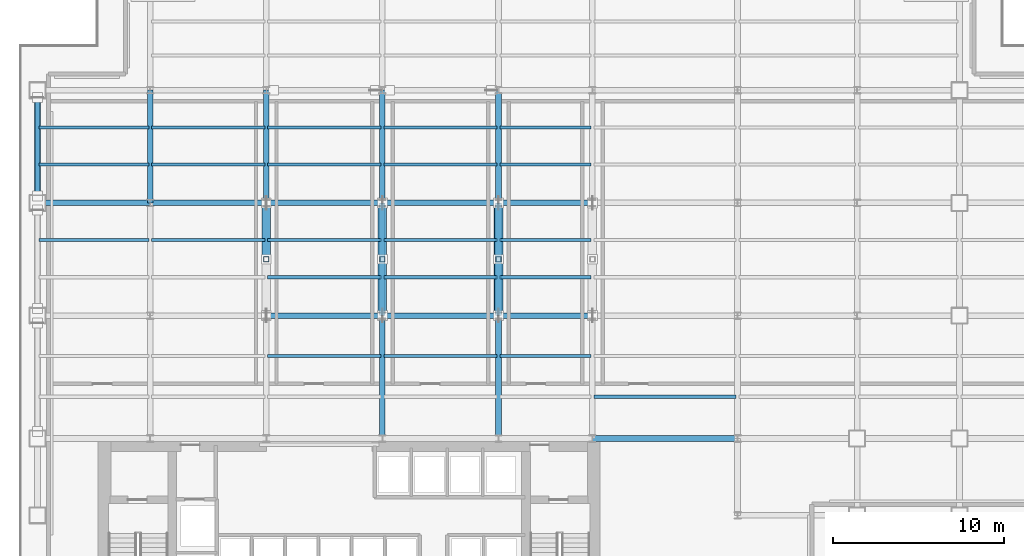
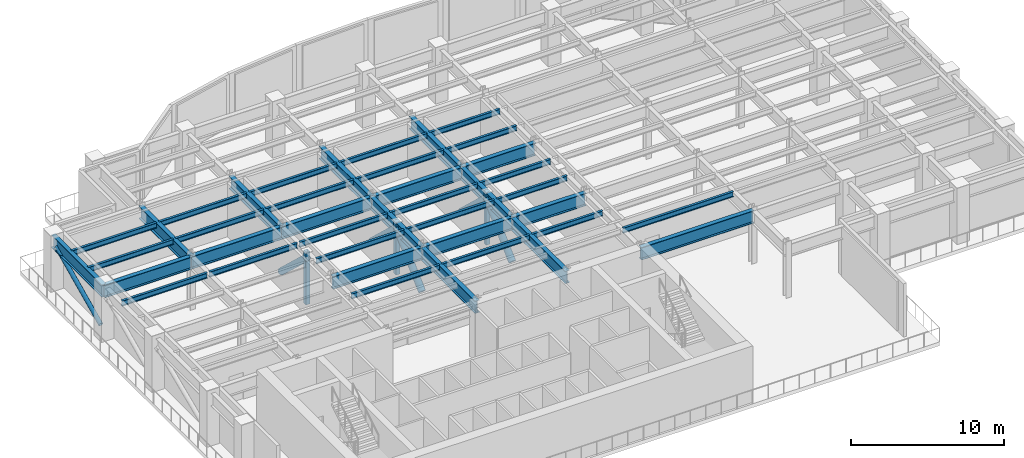
# One storey, part 2 of 14: 40 beams, 9 members.
"""IFC4 building model written with IfcOpenShell, lengths in metres."""

from ifc_helpers import new_model, si_unit, derived_unit, direction, frame, origin, origin_2d, place, context, subcontext, project, spatial, hollow_rectangle, hollow_circle, i_section, extrude, source, transform, mapped, material, material_profile, profile_set, type_object, element, save


model = new_model("IFC4")

# Units and contexts
model_context = context("Model", 3, precision=1e-05, world=origin(), true_north=direction((0.0, 1.0)))
body_context = subcontext(model_context, "Body", "Model", "MODEL_VIEW")
ifc_project = project(units=[si_unit("LENGTHUNIT", "METRE"), si_unit("AREAUNIT", "SQUARE_METRE"), si_unit("VOLUMEUNIT", "CUBIC_METRE"), si_unit("PLANEANGLEUNIT", "RADIAN"), si_unit("MASSUNIT", "GRAM", prefix="KILO"), derived_unit("THERMALTRANSMITTANCEUNIT", [(si_unit("POWERUNIT", "WATT"), 1), (si_unit("LENGTHUNIT", "METRE"), -2), (si_unit("THERMODYNAMICTEMPERATUREUNIT", "KELVIN"), -1)])], contexts=[model_context])

# Site, building, storey
site_placement = place(None, origin())
site = spatial("IfcSite", under=ifc_project, at=site_placement, CompositionType="ELEMENT")
building_placement = place(site_placement, origin())
building = spatial("IfcBuilding", under=site, at=building_placement, Name="Skarnbrae Concourse Arena and Tower", CompositionType="ELEMENT")
storey_placement = place(building_placement, frame((0.0, 0.0, 84.14990234375)))
storey = spatial("IfcBuildingStorey", under=building, at=storey_placement, Name="L20", CompositionType="ELEMENT", Elevation=84.14990234375)

# Beams
ifc_material = material(Name="Steel CSA G40.21 350W", Category="steel")
ifc_material_profile_1 = material_profile(ifc_material, i_section(OverallWidth=0.180908203125, OverallDepth=0.4169921875, WebThickness=0.010986328125, FlangeThickness=0.018310546875, at=origin_2d()), Name="W410X85")
ifc_profile_set_1 = profile_set([ifc_material_profile_1], Name="Steel CSA G40.21 350W")
beam_type_1 = type_object("IfcBeamType", Name="BM-JOIST-W410X85", PredefinedType="JOIST", material=ifc_profile_set_1)
shared_shape_1 = source(origin(), body_context, "Body", "SweptSolid", [
    extrude(i_section(OverallWidth=0.180908203125, OverallDepth=0.4169921875, WebThickness=0.010986328125, FlangeThickness=0.018310546875, at=origin_2d()), origin(), (0.0, 0.0, 1.0), 6.43994140625),
])
for number, where, z_axis, x_axis, name in (
    (1, (1.080078125, 25.6220703125, 3.99169921875), (1.0, 0.0, 0.0), (0.0, 1.0, 0.0), "L20 Secondary floor joist 2.2.1"),
    (2, (1.080078125, 30.0439453125, 3.99169921875), (1.0, 0.0, 0.0), (0.0, 1.0, 0.0), "L20 Secondary floor joist 3.1.1"),
    (3, (1.080078125, 32.221923828125, 3.99169921875), (1.0, 0.0, 0.0), (0.0, 1.0, 0.0), "L20 Secondary floor joist 3.2.1"),
):
    element("IfcBeam", number, at=place(storey_placement, frame(where, z_axis=z_axis, x_axis=x_axis)), inside=storey, type_object=beam_type_1, Name=name, PredefinedType="JOIST", context=body_context, shape_type="MappedRepresentation", body=[
        mapped(shared_shape_1, transform((0.0, 0.0, 0.0))),
    ])
shared_shape_2 = source(origin(), body_context, "Body", "SweptSolid", [
    extrude(i_section(OverallWidth=0.180908203125, OverallDepth=0.4169921875, WebThickness=0.010986328125, FlangeThickness=0.018310546875, at=origin_2d()), origin(), (0.0, 0.0, 1.0), 6.64013671875),
])
for number, where, z_axis, x_axis, name in (
    (4, (14.47998046875, 18.823974609375, 3.99169921875), (1.0, 0.0, 0.0), (0.0, 1.0, 0.0), "L20 Secondary floor joist 1.2.3"),
    (5, (14.47998046875, 23.444091796875, 3.99169921875), (1.0, 0.0, 0.0), (0.0, 1.0, 0.0), "L20 Secondary floor joist 2.1.3"),
    (6, (7.679931640625, 25.6220703125, 3.99169921875), (1.0, 0.0, 0.0), (0.0, 1.0, 0.0), "L20 Secondary floor joist 2.2.2"),
    (7, (14.47998046875, 25.6220703125, 3.99169921875), (1.0, 0.0, 0.0), (0.0, 1.0, 0.0), "L20 Secondary floor joist 2.2.3"),
    (8, (7.679931640625, 30.0439453125, 3.99169921875), (1.0, 0.0, 0.0), (0.0, 1.0, 0.0), "L20 Secondary floor joist 3.1.2"),
    (9, (14.47998046875, 30.0439453125, 3.99169921875), (1.0, 0.0, 0.0), (0.0, 1.0, 0.0), "L20 Secondary floor joist 3.1.3"),
    (10, (7.679931640625, 32.221923828125, 3.99169921875), (1.0, 0.0, 0.0), (0.0, 1.0, 0.0), "L20 Secondary floor joist 3.2.2"),
    (11, (14.47998046875, 32.221923828125, 3.99169921875), (1.0, 0.0, 0.0), (0.0, 1.0, 0.0), "L20 Secondary floor joist 3.2.3"),
):
    element("IfcBeam", number, at=place(storey_placement, frame(where, z_axis=z_axis, x_axis=x_axis)), inside=storey, type_object=beam_type_1, Name=name, PredefinedType="JOIST", context=body_context, shape_type="MappedRepresentation", body=[
        mapped(shared_shape_2, transform((0.0, 0.0, 0.0))),
    ])
shared_shape_3 = source(origin(), body_context, "Body", "SweptSolid", [
    extrude(i_section(OverallWidth=0.180908203125, OverallDepth=0.4169921875, WebThickness=0.010986328125, FlangeThickness=0.018310546875, at=origin_2d()), origin(), (0.0, 0.0, 1.0), 6.639892578125),
])
for number, where, z_axis, x_axis, name in (
    (12, (21.280029296875, 18.823974609375, 3.99169921875), (1.0, 0.0, 0.0), (0.0, 1.0, 0.0), "L20 Secondary floor joist 1.2.4"),
    (13, (21.280029296875, 23.444091796875, 3.99169921875), (1.0, 0.0, 0.0), (0.0, 1.0, 0.0), "L20 Secondary floor joist 2.1.4"),
    (14, (21.280029296875, 25.6220703125, 3.99169921875), (1.0, 0.0, 0.0), (0.0, 1.0, 0.0), "L20 Secondary floor joist 2.2.4"),
    (15, (21.280029296875, 30.0439453125, 3.99169921875), (1.0, 0.0, 0.0), (0.0, 1.0, 0.0), "L20 Secondary floor joist 3.1.4"),
    (16, (21.280029296875, 32.221923828125, 3.99169921875), (1.0, 0.0, 0.0), (0.0, 1.0, 0.0), "L20 Secondary floor joist 3.2.4"),
):
    element("IfcBeam", number, at=place(storey_placement, frame(where, z_axis=z_axis, x_axis=x_axis)), inside=storey, type_object=beam_type_1, Name=name, PredefinedType="JOIST", context=body_context, shape_type="MappedRepresentation", body=[
        mapped(shared_shape_3, transform((0.0, 0.0, 0.0))),
    ])
shared_shape_4 = source(origin(), body_context, "Body", "SweptSolid", [
    extrude(i_section(OverallWidth=0.180908203125, OverallDepth=0.4169921875, WebThickness=0.010986328125, FlangeThickness=0.018310546875, at=origin_2d()), origin(), (0.0, 0.0, 1.0), 5.33984375),
])
for number, where, z_axis, x_axis, name in (
    (17, (28.080078125, 18.823974609375, 3.99169921875), (1.0, 0.0, 0.0), (0.0, 1.0, 0.0), "L20 Secondary floor joist 1.2.5"),
    (18, (28.080078125, 23.444091796875, 3.99169921875), (1.0, 0.0, 0.0), (0.0, 1.0, 0.0), "L20 Secondary floor joist 2.1.5"),
    (19, (28.080078125, 25.6220703125, 3.99169921875), (1.0, 0.0, 0.0), (0.0, 1.0, 0.0), "L20 Secondary floor joist 2.2.5"),
    (20, (28.080078125, 30.0439453125, 3.99169921875), (1.0, 0.0, 0.0), (0.0, 1.0, 0.0), "L20 Secondary floor joist 3.1.5"),
    (21, (28.080078125, 32.221923828125, 3.99169921875), (1.0, 0.0, 0.0), (0.0, 1.0, 0.0), "L20 Secondary floor joist 3.2.5"),
):
    element("IfcBeam", number, at=place(storey_placement, frame(where, z_axis=z_axis, x_axis=x_axis)), inside=storey, type_object=beam_type_1, Name=name, PredefinedType="JOIST", context=body_context, shape_type="MappedRepresentation", body=[
        mapped(shared_shape_4, transform((0.0, 0.0, 0.0))),
    ])
shared_shape_5 = source(origin(), body_context, "Body", "SweptSolid", [
    extrude(i_section(OverallWidth=0.180908203125, OverallDepth=0.4169921875, WebThickness=0.010986328125, FlangeThickness=0.018310546875, at=origin_2d()), origin(), (0.0, 0.0, 1.0), 8.33984375),
])
beam_1_placement = place(storey_placement, frame((33.580078125, 16.447998046875, 3.99169921875), z_axis=(1.0, 0.0, 0.0), x_axis=(0.0, 1.0, 0.0)))
element("IfcBeam", 22, at=beam_1_placement, inside=storey, type_object=beam_type_1, Name="L20 Secondary floor joist 1.1.6", PredefinedType="JOIST", context=body_context, shape_type="MappedRepresentation", body=[
    mapped(shared_shape_5, transform((0.0, 0.0, 0.0))),
])
ifc_material_profile_2 = material_profile(ifc_material, i_section(OverallWidth=0.327880859375, OverallDepth=1.0, WebThickness=0.02099609375, FlangeThickness=0.03759765625, at=origin_2d()), Name="W1000X371")
ifc_profile_set_2 = profile_set([ifc_material_profile_2], Name="Steel CSA G40.21 350W")
beam_type_2 = type_object("IfcBeamType", Name="BM-XFER-W1000X371", PredefinedType="BEAM", material=ifc_profile_set_2)
shared_shape_6 = source(origin(), body_context, "Body", "SweptSolid", [
    extrude(i_section(OverallWidth=0.327880859375, OverallDepth=1.0, WebThickness=0.02099609375, FlangeThickness=0.03759765625, at=origin_2d()), origin(), (0.0, 0.0, 1.0), 6.60009765625),
])
for number, where, z_axis, x_axis, name in (
    (23, (1.0, 27.800048828125, 3.7001953125), (1.0, 0.0, 0.0), (0.0, 1.0, 0.0), "L20 Primary E-W girder Y27.8-1"),
    (24, (21.199951171875, 21.199951171875, 3.7001953125), (0.0, 1.0, 0.0), (-1.0, 0.0, 0.0), "L20 Primary N-S girder X21.2-2"),
    (25, (28.0, 21.199951171875, 3.7001953125), (0.0, 1.0, 0.0), (-1.0, 0.0, 0.0), "L20 Primary N-S girder X28.0-2"),
):
    element("IfcBeam", number, at=place(storey_placement, frame(where, z_axis=z_axis, x_axis=x_axis)), inside=storey, type_object=beam_type_2, Name=name, PredefinedType="BEAM", context=body_context, shape_type="MappedRepresentation", body=[
        mapped(shared_shape_6, transform((0.0, 0.0, 0.0))),
    ])
shared_shape_7 = source(origin(), body_context, "Body", "SweptSolid", [
    extrude(i_section(OverallWidth=0.327880859375, OverallDepth=1.0, WebThickness=0.02099609375, FlangeThickness=0.03759765625, at=origin_2d()), origin(), (0.0, 0.0, 1.0), 6.7998046875),
])
beam_2_placement = place(storey_placement, frame((7.60009765625, 27.800048828125, 3.7001953125), z_axis=(1.0, 0.0, 0.0), x_axis=(0.0, 1.0, 0.0)))
element("IfcBeam", 26, at=beam_2_placement, inside=storey, type_object=beam_type_2, Name="L20 Primary E-W girder Y27.8-2", PredefinedType="BEAM", context=body_context, shape_type="MappedRepresentation", body=[
    mapped(shared_shape_7, transform((0.0, 0.0, 0.0))),
])
shared_shape_8 = source(origin(), body_context, "Body", "SweptSolid", [
    extrude(i_section(OverallWidth=0.327880859375, OverallDepth=1.0, WebThickness=0.02099609375, FlangeThickness=0.03759765625, at=origin_2d()), origin(), (0.0, 0.0, 1.0), 6.800048828125),
])
for number, where, z_axis, x_axis, name in (
    (27, (14.39990234375, 21.199951171875, 3.7001953125), (1.0, 0.0, 0.0), (0.0, 1.0, 0.0), "L20 Primary E-W girder Y21.2-3"),
    (28, (21.199951171875, 21.199951171875, 3.7001953125), (1.0, 0.0, 0.0), (0.0, 1.0, 0.0), "L20 Primary E-W girder Y21.2-4"),
    (29, (14.39990234375, 27.800048828125, 3.7001953125), (1.0, 0.0, 0.0), (0.0, 1.0, 0.0), "L20 Primary E-W girder Y27.8-3"),
    (30, (21.199951171875, 27.800048828125, 3.7001953125), (1.0, 0.0, 0.0), (0.0, 1.0, 0.0), "L20 Primary E-W girder Y27.8-4"),
):
    element("IfcBeam", number, at=place(storey_placement, frame(where, z_axis=z_axis, x_axis=x_axis)), inside=storey, type_object=beam_type_2, Name=name, PredefinedType="BEAM", context=body_context, shape_type="MappedRepresentation", body=[
        mapped(shared_shape_8, transform((0.0, 0.0, 0.0))),
    ])
shared_shape_9 = source(origin(), body_context, "Body", "SweptSolid", [
    extrude(i_section(OverallWidth=0.327880859375, OverallDepth=1.0, WebThickness=0.02099609375, FlangeThickness=0.03759765625, at=origin_2d()), origin(), (0.0, 0.0, 1.0), 5.5),
])
for number, where, z_axis, x_axis, name in (
    (31, (28.0, 21.199951171875, 3.7001953125), (1.0, 0.0, 0.0), (0.0, 1.0, 0.0), "L20 Primary E-W girder Y21.2-5"),
    (32, (28.0, 27.800048828125, 3.7001953125), (1.0, 0.0, 0.0), (0.0, 1.0, 0.0), "L20 Primary E-W girder Y27.8-5"),
):
    element("IfcBeam", number, at=place(storey_placement, frame(where, z_axis=z_axis, x_axis=x_axis)), inside=storey, type_object=beam_type_2, Name=name, PredefinedType="BEAM", context=body_context, shape_type="MappedRepresentation", body=[
        mapped(shared_shape_9, transform((0.0, 0.0, 0.0))),
    ])
shared_shape_10 = source(origin(), body_context, "Body", "SweptSolid", [
    extrude(i_section(OverallWidth=0.327880859375, OverallDepth=1.0, WebThickness=0.02099609375, FlangeThickness=0.03759765625, at=origin_2d()), origin(), (0.0, 0.0, 1.0), 8.5),
])
beam_3_placement = place(storey_placement, frame((33.5, 14.0, 3.7001953125), z_axis=(1.0, 0.0, 0.0), x_axis=(0.0, 1.0, 0.0)))
element("IfcBeam", 33, at=beam_3_placement, inside=storey, type_object=beam_type_2, Name="L20 Primary E-W girder Y14.0-6", PredefinedType="BEAM", context=body_context, shape_type="MappedRepresentation", body=[
    mapped(shared_shape_10, transform((0.0, 0.0, 0.0))),
])
shared_shape_11 = source(origin(), body_context, "Body", "SweptSolid", [
    extrude(i_section(OverallWidth=0.327880859375, OverallDepth=1.0, WebThickness=0.02099609375, FlangeThickness=0.03759765625, at=origin_2d()), origin(), (0.0, 0.0, 1.0), 7.199951171875),
])
for number, where, z_axis, x_axis, name in (
    (34, (21.199951171875, 14.0, 3.7001953125), (0.0, 1.0, 0.0), (-1.0, 0.0, 0.0), "L20 Primary N-S girder X21.2-1"),
    (35, (28.0, 14.0, 3.7001953125), (0.0, 1.0, 0.0), (-1.0, 0.0, 0.0), "L20 Primary N-S girder X28.0-1"),
):
    element("IfcBeam", number, at=place(storey_placement, frame(where, z_axis=z_axis, x_axis=x_axis)), inside=storey, type_object=beam_type_2, Name=name, PredefinedType="BEAM", context=body_context, shape_type="MappedRepresentation", body=[
        mapped(shared_shape_11, transform((0.0, 0.0, 0.0))),
    ])
shared_shape_12 = source(origin(), body_context, "Body", "SweptSolid", [
    extrude(i_section(OverallWidth=0.327880859375, OverallDepth=1.0, WebThickness=0.02099609375, FlangeThickness=0.03759765625, at=origin_2d()), origin(), (0.0, 0.0, 1.0), 6.599853515625),
])
for number, where, z_axis, x_axis, name in (
    (36, (1.0, 27.800048828125, 3.7001953125), (0.0, 1.0, 0.0), (-1.0, 0.0, 0.0), "L20 Perimeter spandrel X1.0-4"),
    (37, (7.60009765625, 27.800048828125, 3.7001953125), (0.0, 1.0, 0.0), (-1.0, 0.0, 0.0), "L20 Primary N-S girder X7.6-3"),
    (38, (14.39990234375, 27.800048828125, 3.7001953125), (0.0, 1.0, 0.0), (-1.0, 0.0, 0.0), "L20 Primary N-S girder X14.4-3"),
    (39, (21.199951171875, 27.800048828125, 3.7001953125), (0.0, 1.0, 0.0), (-1.0, 0.0, 0.0), "L20 Primary N-S girder X21.2-3"),
    (40, (28.0, 27.800048828125, 3.7001953125), (0.0, 1.0, 0.0), (-1.0, 0.0, 0.0), "L20 Primary N-S girder X28.0-3"),
):
    element("IfcBeam", number, at=place(storey_placement, frame(where, z_axis=z_axis, x_axis=x_axis)), inside=storey, type_object=beam_type_2, Name=name, PredefinedType="BEAM", context=body_context, shape_type="MappedRepresentation", body=[
        mapped(shared_shape_12, transform((0.0, 0.0, 0.0))),
    ])

# Members
ifc_material_profile_3 = material_profile(ifc_material, hollow_circle(Radius=0.25390625, WallThickness=0.02490234375, at=origin_2d()), Name="HSS508X25.0")
ifc_profile_set_3 = profile_set([ifc_material_profile_3], Name="Steel CSA G40.21 350W")
member_type_1 = type_object("IfcMemberType", Name="MEM-OUTRIG-CHS508", PredefinedType="BRACE", material=ifc_profile_set_3)
shared_shape_13 = source(origin(), body_context, "Body", "SweptSolid", [
    extrude(hollow_circle(Radius=0.25390625, WallThickness=0.02490234375, at=origin_2d()), origin(), (0.0, 0.0, 1.0), 4.52783203125),
])
for number, where, z_axis, x_axis, name in (
    (41, (14.39990234375, 24.5, 3.650146484375), (0.0, 0.728842364395, -0.684681537551), (-1.0, 0.0, 0.0), "L20 Core outrigger trusses diagonal O1.2"),
    (42, (21.199951171875, 21.199951171875, 0.550048828125), (0.0, 0.728842364395, 0.684681537551), (-1.0, 0.0, 0.0), "L20 Core outrigger trusses diagonal O2.1"),
    (43, (21.199951171875, 24.5, 3.650146484375), (0.0, 0.728842364395, -0.684681537551), (-1.0, 0.0, 0.0), "L20 Core outrigger trusses diagonal O2.2"),
    (44, (28.0, 21.199951171875, 0.550048828125), (0.0, 0.728842364395, 0.684681537551), (-1.0, 0.0, 0.0), "L20 Core outrigger trusses diagonal O3.1"),
    (45, (28.0, 24.5, 3.650146484375), (0.0, 0.728842364395, -0.684681537551), (-1.0, 0.0, 0.0), "L20 Core outrigger trusses diagonal O3.2"),
):
    element("IfcMember", number, at=place(storey_placement, frame(where, z_axis=z_axis, x_axis=x_axis)), inside=storey, type_object=member_type_1, Name=name, PredefinedType="BRACE", context=body_context, shape_type="MappedRepresentation", body=[
        mapped(shared_shape_13, transform((0.0, 0.0, 0.0))),
    ])
ifc_material_profile_4 = material_profile(ifc_material, hollow_rectangle(XDim=0.3046875, YDim=0.3046875, WallThickness=0.015869140625, at=origin_2d()), Name="HSS305X305X15.9")
ifc_profile_set_4 = profile_set([ifc_material_profile_4], Name="Steel CSA G40.21 350W")
member_type_2 = type_object("IfcMemberType", Name="MEM-POST-HSS305", PredefinedType="POST", material=ifc_profile_set_4)
shared_shape_14 = source(origin(), body_context, "Body", "SweptSolid", [
    extrude(hollow_rectangle(XDim=0.3046875, YDim=0.3046875, WallThickness=0.015869140625, at=origin_2d()), origin(), (0.0, 0.0, 1.0), 4.2001953125),
])
for number, where, z_axis, x_axis, name in (
    (46, (14.39990234375, 24.5, 0.0), (0.0, 0.0, 1.0), (1.0, 0.0, 0.0), "L20 Outrigger truss mid-post O1"),
    (47, (21.199951171875, 24.5, 0.0), (0.0, 0.0, 1.0), (1.0, 0.0, 0.0), "L20 Outrigger truss mid-post O2"),
    (48, (28.0, 24.5, 0.0), (0.0, 0.0, 1.0), (1.0, 0.0, 0.0), "L20 Outrigger truss mid-post O3"),
):
    element("IfcMember", number, at=place(storey_placement, frame(where, z_axis=z_axis, x_axis=x_axis)), inside=storey, type_object=member_type_2, Name=name, PredefinedType="POST", context=body_context, shape_type="MappedRepresentation", body=[
        mapped(shared_shape_14, transform((0.0, 0.0, 0.0))),
    ])
ifc_material_profile_5 = material_profile(ifc_material, hollow_circle(Radius=0.161865234375, WallThickness=0.01904296875, at=origin_2d()), Name="HSS324X19.0")
ifc_profile_set_5 = profile_set([ifc_material_profile_5], Name="Steel CSA G40.21 350W")
member_type_3 = type_object("IfcMemberType", Name="MEM-BELT-CHS324", PredefinedType="BRACE", material=ifc_profile_set_5)
shared_shape_15 = source(origin(), body_context, "Body", "SweptSolid", [
    extrude(hollow_circle(Radius=0.161865234375, WallThickness=0.01904296875, at=origin_2d()), origin(), (0.0, 0.0, 1.0), 6.371826171875),
])
member_placement = place(storey_placement, frame((1.0, 28.21630859375, 0.74560546875), z_axis=(0.0, 0.905124123746, 0.425147410451), x_axis=(-1.0, 0.0, 0.0)))
element("IfcMember", 49, at=member_placement, inside=storey, type_object=member_type_3, Name="L20 Perimeter belt trusses diagonal B03", PredefinedType="BRACE", context=body_context, shape_type="MappedRepresentation", body=[
    mapped(shared_shape_15, transform((0.0, 0.0, 0.0))),
])

save(model, "model.ifc")
